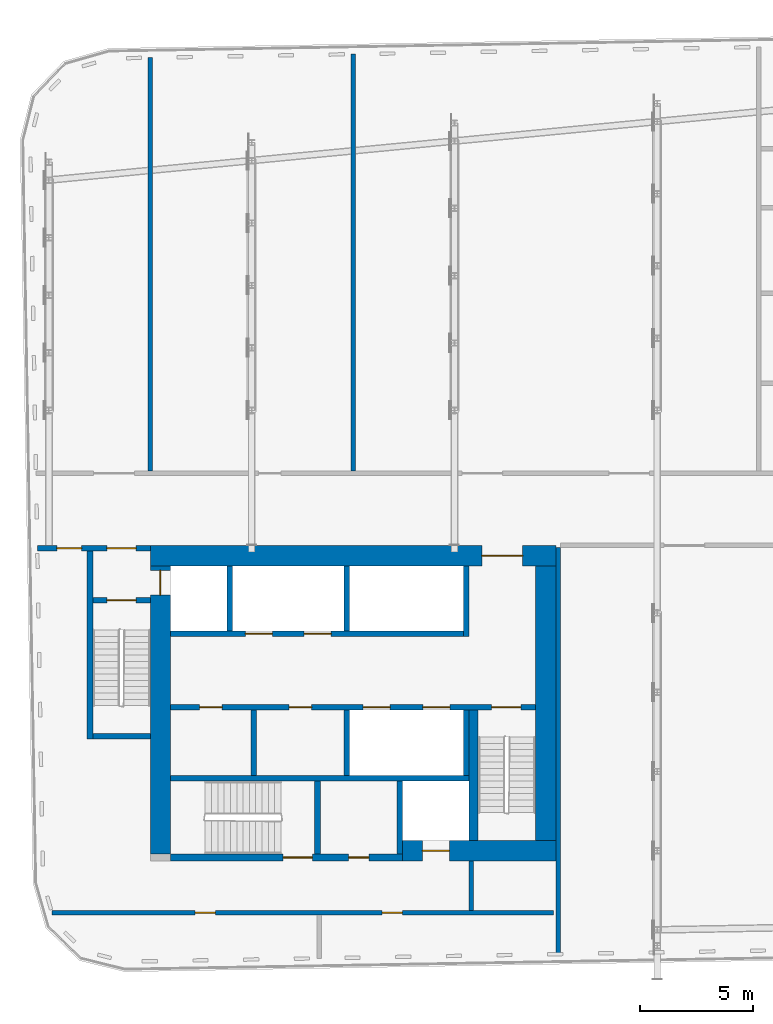
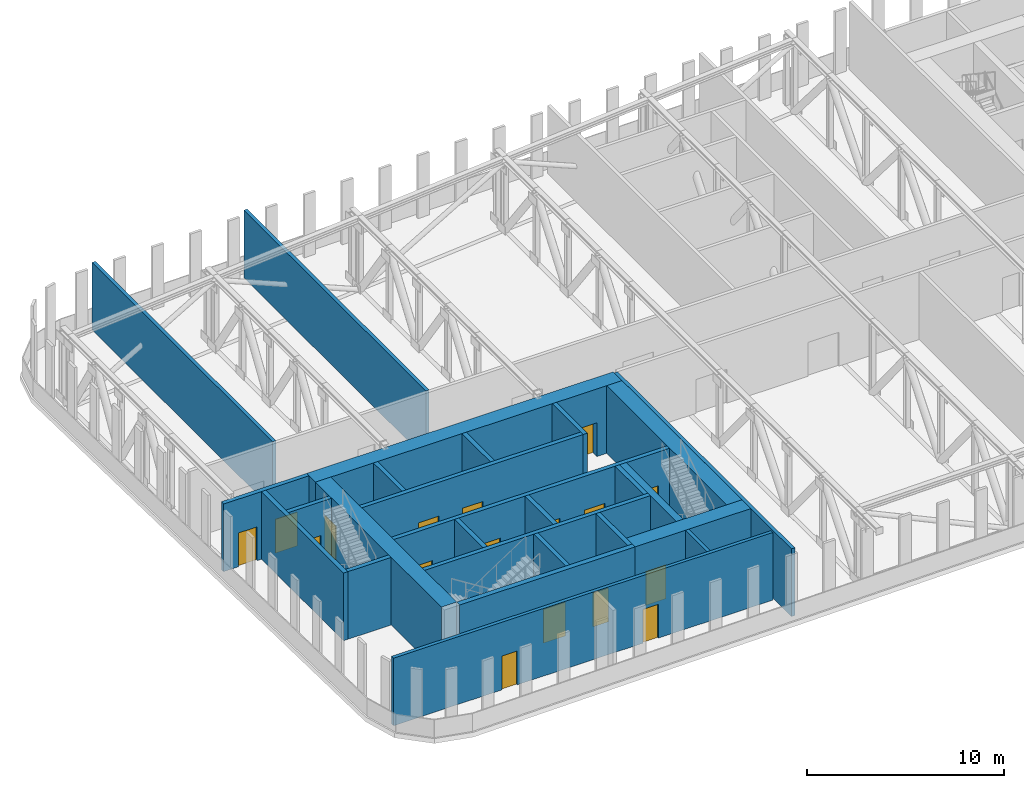
# One storey, part 10 of 26: 26 walls, 17 doors, 17 openings.
"""IFC4 building model written with IfcOpenShell, lengths in metres."""

from ifc_helpers import new_model, si_unit, direction, frame, frame_2d, origin, place, context, subcontext, project, spatial, rectangle, extrude, material, layer, layer_set, type_object, element, fill, save


model = new_model("IFC4")

# Units and contexts
model_context = context("Model", 3, precision=1e-05, world=origin(), true_north=direction((0.0, 1.0)))
body_context = subcontext(model_context, "Body", "Model", "MODEL_VIEW")
ifc_project = project(units=[si_unit("LENGTHUNIT", "METRE"), si_unit("AREAUNIT", "SQUARE_METRE"), si_unit("VOLUMEUNIT", "CUBIC_METRE"), si_unit("PLANEANGLEUNIT", "RADIAN"), si_unit("MASSUNIT", "GRAM", prefix="KILO")], contexts=[model_context])

# Site, building, storey
site_placement = place(None, origin())
site = spatial("IfcSite", under=ifc_project, at=site_placement, CompositionType="ELEMENT")
building_placement = place(site_placement, origin())
building = spatial("IfcBuilding", under=site, at=building_placement, Name="Kajstack Hotel Tower", CompositionType="ELEMENT")
storey_placement = place(building_placement, frame((0.0, 0.0, 257.300048828125)))
storey = spatial("IfcBuildingStorey", under=building, at=storey_placement, Name="L64", CompositionType="ELEMENT", Elevation=257.300048828125)

# Wall, opening, door
ifc_material_1 = material(Name="Concrete C60/75", Category="concrete")
ifc_layer_1 = layer(ifc_material_1, 0.89990234375)
ifc_layer_set_1 = layer_set([ifc_layer_1], Name="Core wall 900")
wall_type_1 = type_object("IfcWallType", Name="Core wall 900", PredefinedType="SHEAR", material=ifc_layer_set_1)
wall_1_placement = place(storey_placement, frame((-31.5, -1.949951171875, 0.0), z_axis=(0.0, 0.0, 1.0), x_axis=(1.0, 0.0, 0.0)))
wall_1 = element("IfcWall", 1, at=wall_1_placement, inside=storey, type_object=wall_type_1, Name="Core wall W RN", PredefinedType="SHEAR", context=body_context, shape_type="SweptSolid", body=[
    extrude(rectangle(XDim=18.0, YDim=0.89990234375, at=frame_2d((9.0, 0.0))), origin(), (0.0, 0.0, 1.0), 4.199951171875),
])
opening_1_placement = place(wall_1_placement, frame((14.72509765625, 0.0, 0.0)))
opening_1 = element("IfcOpeningElement", 2, at=opening_1_placement, cuts=wall_1, Name="Opening 64W07", PredefinedType="OPENING", context=body_context, shape_type="SweptSolid", body=[
    extrude(rectangle(XDim=1.800048828125, YDim=2.10009765625, at=frame_2d((0.89990234375, 1.050048828125))), frame((0.0, 0.4599609375, 0.0), z_axis=(0.0, -1.0, 0.0), x_axis=(1.0, 0.0, 0.0)), (0.0, 0.0, 1.0), 0.919921875),
])
ifc_material_2 = material(Name="Glazed steel frame, fire-rated glass", Category="steel")
door_type_1 = type_object("IfcDoorType", Name="Lobby double door 1800", OperationType="DOUBLE_DOOR_DOUBLE_SWING", PredefinedType="DOOR", material=ifc_material_2)
door_1_placement = place(opening_1_placement, origin())
door_1 = element("IfcDoor", 3, at=door_1_placement, inside=storey, type_object=door_type_1, Name="Door 64W07", OperationType="DOUBLE_DOOR_DOUBLE_SWING", OverallHeight=2.10009765625, OverallWidth=1.800048828125, PredefinedType="DOOR", context=body_context, shape_type="SweptSolid", body=[
    extrude(rectangle(XDim=1.800048828125, YDim=2.10009765625, at=frame_2d((0.89990234375, 1.050048828125))), frame((0.0, 0.02490234375, 0.0), z_axis=(0.0, -1.0, 0.0), x_axis=(1.0, 0.0, 0.0)), (0.0, 0.0, 1.0), 0.050048828125),
])
fill(opening_1, door_1)

wall_2_placement = place(storey_placement, frame((-20.300048828125, -15.050048828125, 0.0), z_axis=(0.0, 0.0, 1.0), x_axis=(1.0, 0.0, 0.0)))
wall_2 = element("IfcWall", 4, at=wall_2_placement, inside=storey, type_object=wall_type_1, Name="Core wall W RS", PredefinedType="SHEAR", context=body_context, shape_type="SweptSolid", body=[
    extrude(rectangle(XDim=6.800048828125, YDim=0.89990234375, at=frame_2d((3.39990234375, 0.0))), origin(), (0.0, 0.0, 1.0), 4.199951171875),
])
opening_2_placement = place(wall_2_placement, frame((0.875, 0.0, 0.0)))
opening_2 = element("IfcOpeningElement", 5, at=opening_2_placement, cuts=wall_2, Name="Opening LD-SV1", PredefinedType="OPENING", context=body_context, shape_type="SweptSolid", body=[
    extrude(rectangle(XDim=1.199951171875, YDim=2.10009765625, at=frame_2d((0.60009765625, 1.050048828125))), frame((0.0, 0.4599609375, 0.0), z_axis=(0.0, -1.0, 0.0), x_axis=(1.0, 0.0, 0.0)), (0.0, 0.0, 1.0), 0.919921875),
])
ifc_material_3 = material(Name="Stainless steel", Category="steel")
door_type_2 = type_object("IfcDoorType", Name="Lift landing door 1200", OperationType="SLIDING_TO_LEFT", PredefinedType="DOOR", material=ifc_material_3)
door_2_placement = place(opening_2_placement, origin())
door_2 = element("IfcDoor", 6, at=door_2_placement, inside=storey, type_object=door_type_2, Name="Landing door SV1", OperationType="SLIDING_TO_LEFT", OverallHeight=2.10009765625, OverallWidth=1.199951171875, PredefinedType="DOOR", context=body_context, shape_type="SweptSolid", body=[
    extrude(rectangle(XDim=1.199951171875, YDim=2.10009765625, at=frame_2d((0.60009765625, 1.050048828125))), frame((0.0, 0.02490234375, 0.0), z_axis=(0.0, -1.0, 0.0), x_axis=(1.0, 0.0, 0.0)), (0.0, 0.0, 1.0), 0.050048828125),
])
fill(opening_2, door_2)

wall_3_placement = place(storey_placement, frame((-31.050048828125, -15.199951171875, 0.0), z_axis=(0.0, 0.0, 1.0), x_axis=(0.0, 1.0, 0.0)))
wall_3 = element("IfcWall", 7, at=wall_3_placement, inside=storey, type_object=wall_type_1, Name="Core wall W RW", PredefinedType="SHEAR", context=body_context, shape_type="SweptSolid", body=[
    extrude(rectangle(XDim=12.800048828125, YDim=0.89990234375, at=frame_2d((6.39990234375, 0.0))), origin(), (0.0, 0.0, 1.0), 4.199951171875),
])
opening_3_placement = place(wall_3_placement, frame((11.5, 0.0, 0.0)))
opening_3 = element("IfcOpeningElement", 8, at=opening_3_placement, cuts=wall_3, Name="Opening LD-FF1", PredefinedType="OPENING", context=body_context, shape_type="SweptSolid", body=[
    extrude(rectangle(XDim=1.10009765625, YDim=2.10009765625, at=frame_2d((0.550048828125, 1.050048828125))), frame((0.0, 0.4599609375, 0.0), z_axis=(0.0, -1.0, 0.0), x_axis=(1.0, 0.0, 0.0)), (0.0, 0.0, 1.0), 0.919921875),
])
door_type_3 = type_object("IfcDoorType", Name="Fire-fighting lift landing door 1100", OperationType="SLIDING_TO_LEFT", PredefinedType="DOOR", material=ifc_material_3)
door_3_placement = place(opening_3_placement, origin())
door_3 = element("IfcDoor", 9, at=door_3_placement, inside=storey, type_object=door_type_3, Name="Landing door FF1", OperationType="SLIDING_TO_RIGHT", OverallHeight=2.10009765625, OverallWidth=1.10009765625, PredefinedType="DOOR", context=body_context, shape_type="SweptSolid", body=[
    extrude(rectangle(XDim=1.10009765625, YDim=2.10009765625, at=frame_2d((0.550048828125, 1.050048828125))), frame((0.0, 0.02490234375, 0.0), z_axis=(0.0, -1.0, 0.0), x_axis=(1.0, 0.0, 0.0)), (0.0, 0.0, 1.0), 0.050048828125),
])
fill(opening_3, door_3)

# Walls
wall_4_placement = place(storey_placement, frame((-13.949951171875, -14.60009765625, 0.0), z_axis=(0.0, 0.0, 1.0), x_axis=(0.0, 1.0, 0.0)))
element("IfcWall", 10, at=wall_4_placement, inside=storey, type_object=wall_type_1, Name="Core wall W RE", PredefinedType="SHEAR", context=body_context, shape_type="SweptSolid", body=[
    extrude(rectangle(XDim=12.2001953125, YDim=0.89990234375, at=frame_2d((6.10009765625, 0.0))), origin(), (0.0, 0.0, 1.0), 4.199951171875),
])
ifc_material_4 = material(Name="Concrete C50/60", Category="concrete")
ifc_layer_2 = layer(ifc_material_4, 0.300048828125)
ifc_layer_set_2 = layer_set([ifc_layer_2], Name="Hoistway divider wall 300")
wall_type_2 = type_object("IfcWallType", Name="Hoistway divider wall 300", PredefinedType="SHEAR", material=ifc_layer_set_2)
wall_5_placement = place(storey_placement, frame((-22.77490234375, -5.300048828125, 0.0), z_axis=(0.0, 0.0, 1.0), x_axis=(0.0, 1.0, 0.0)))
element("IfcWall", 11, at=wall_5_placement, inside=storey, type_object=wall_type_2, Name="Core wall W AP2", PredefinedType="SHEAR", context=body_context, shape_type="SweptSolid", body=[
    extrude(rectangle(XDim=2.900146484375, YDim=0.25, at=frame_2d((1.4501953125, 0.0))), origin(), (0.0, 0.0, 1.0), 4.199951171875),
])
wall_6_placement = place(storey_placement, frame((-22.77490234375, -11.699951171875, 0.0), z_axis=(0.0, 0.0, 1.0), x_axis=(0.0, 1.0, 0.0)))
element("IfcWall", 12, at=wall_6_placement, inside=storey, type_object=wall_type_2, Name="Core wall W BP2", PredefinedType="SHEAR", context=body_context, shape_type="SweptSolid", body=[
    extrude(rectangle(XDim=2.89990234375, YDim=0.25, at=frame_2d((1.449951171875, 0.0))), origin(), (0.0, 0.0, 1.0), 4.199951171875),
])
ifc_material_5 = material(Name="Gypsum board on steel studs, mineral wool", Category="steel")
ifc_layer_3 = layer(ifc_material_5, 0.199951171875)
ifc_layer_set_3 = layer_set([ifc_layer_3], Name="Public partition 200")
wall_type_3 = type_object("IfcWallType", Name="Public partition 200", PredefinedType="PARTITIONING", material=ifc_layer_set_3)
wall_7_placement = place(storey_placement, frame((-22.5, 1.800048828125, 0.0), z_axis=(0.0, 0.0, 1.0), x_axis=(0.0, 1.0, 0.0)))
element("IfcWall", 13, at=wall_7_placement, inside=storey, type_object=wall_type_3, Name="Partition PX2", PredefinedType="PARTITIONING", context=body_context, shape_type="SweptSolid", body=[
    extrude(rectangle(XDim=18.5078125, YDim=0.199951171875, at=frame_2d((9.25390625, 0.0))), origin(), (0.0, 0.0, 1.0), 4.199951171875),
])
wall_8_placement = place(storey_placement, frame((-31.5, 1.800048828125, 0.0), z_axis=(0.0, 0.0, 1.0), x_axis=(0.0, 1.0, 0.0)))
element("IfcWall", 14, at=wall_8_placement, inside=storey, type_object=wall_type_3, Name="Partition PX3", PredefinedType="PARTITIONING", context=body_context, shape_type="SweptSolid", body=[
    extrude(rectangle(XDim=18.350830078125, YDim=0.199951171875, at=frame_2d((9.17529296875, 0.0))), origin(), (0.0, 0.0, 1.0), 4.199951171875),
])
wall_9_placement = place(storey_placement, frame((-13.39990234375, -19.6357421875, 0.0), z_axis=(0.0, 0.0, 1.0), x_axis=(0.0, 1.0, 0.0)))
element("IfcWall", 15, at=wall_9_placement, inside=storey, type_object=wall_type_3, Name="Partition SEW", PredefinedType="PARTITIONING", context=body_context, shape_type="SweptSolid", body=[
    extrude(rectangle(XDim=18.03564453125, YDim=0.199951171875, at=frame_2d((9.017822265625, 0.0))), origin(), (0.0, 0.0, 1.0), 4.199951171875),
])
ifc_material_6 = material(Name="Concrete block masonry", Category="masonry")
ifc_layer_4 = layer(ifc_material_6, 0.25)
ifc_layer_set_4 = layer_set([ifc_layer_4], Name="Riser partition 250")
wall_type_4 = type_object("IfcWallType", Name="Riser partition 250", PredefinedType="PARTITIONING", material=ifc_layer_set_4)
wall_10_placement = place(storey_placement, frame((-26.89990234375, -11.699951171875, 0.0), z_axis=(0.0, 0.0, 1.0), x_axis=(0.0, 1.0, 0.0)))
element("IfcWall", 16, at=wall_10_placement, inside=storey, type_object=wall_type_4, Name="Partition W BF0", PredefinedType="PARTITIONING", context=body_context, shape_type="SweptSolid", body=[
    extrude(rectangle(XDim=2.89990234375, YDim=0.25, at=frame_2d((1.449951171875, 0.0))), origin(), (0.0, 0.0, 1.0), 4.199951171875),
])

# Wall, openings, doors
ifc_layer_5 = layer(ifc_material_5, 0.199951171875)
ifc_layer_set_5 = layer_set([ifc_layer_5], Name="Service partition 200")
wall_type_5 = type_object("IfcWallType", Name="Service partition 200", PredefinedType="PARTITIONING", material=ifc_layer_set_5)
wall_11_placement = place(storey_placement, frame((-36.515380859375, -1.625, 0.0), z_axis=(0.0, 0.0, 1.0), x_axis=(1.0, 0.0, 0.0)))
wall_11 = element("IfcWall", 17, at=wall_11_placement, inside=storey, type_object=wall_type_5, Name="Partition W SN", PredefinedType="PARTITIONING", context=body_context, shape_type="SweptSolid", body=[
    extrude(rectangle(XDim=5.015380859375, YDim=0.25, at=frame_2d((2.5078125, 0.0))), origin(), (0.0, 0.0, 1.0), 4.199951171875),
])
opening_4_placement = place(wall_11_placement, frame((3.09033203125, 0.0, 0.0)))
opening_4 = element("IfcOpeningElement", 18, at=opening_4_placement, cuts=wall_11, Name="Opening 64W08", PredefinedType="OPENING", context=body_context, shape_type="SweptSolid", body=[
    extrude(rectangle(XDim=1.300048828125, YDim=2.10009765625, at=frame_2d((0.64990234375, 1.050048828125))), frame((0.0, 0.135009765625, 0.0), z_axis=(0.0, -1.0, 0.0), x_axis=(1.0, 0.0, 0.0)), (0.0, 0.0, 1.0), 0.27001953125),
])
opening_5_placement = place(wall_11_placement, frame((0.865478515625, 0.0, 0.0)))
opening_5 = element("IfcOpeningElement", 19, at=opening_5_placement, cuts=wall_11, Name="Opening 64W10", PredefinedType="OPENING", context=body_context, shape_type="SweptSolid", body=[
    extrude(rectangle(XDim=1.10009765625, YDim=2.10009765625, at=frame_2d((0.550048828125, 1.050048828125))), frame((0.0, 0.135009765625, 0.0), z_axis=(0.0, -1.0, 0.0), x_axis=(1.0, 0.0, 0.0)), (0.0, 0.0, 1.0), 0.27001953125),
])
ifc_material_7 = material(Name="Steel leaf, fire-rated", Category="steel")
door_type_4 = type_object("IfcDoorType", Name="Fire lobby door 1300", OperationType="SINGLE_SWING_LEFT", PredefinedType="DOOR", material=ifc_material_7)
door_4_placement = place(opening_4_placement, origin())
door_4 = element("IfcDoor", 20, at=door_4_placement, inside=storey, type_object=door_type_4, Name="Door 64W08", OperationType="SINGLE_SWING_RIGHT", OverallHeight=2.10009765625, OverallWidth=1.300048828125, PredefinedType="DOOR", context=body_context, shape_type="SweptSolid", body=[
    extrude(rectangle(XDim=1.300048828125, YDim=2.10009765625, at=frame_2d((0.64990234375, 1.050048828125))), frame((0.0, 0.02490234375, 0.0), z_axis=(0.0, -1.0, 0.0), x_axis=(1.0, 0.0, 0.0)), (0.0, 0.0, 1.0), 0.050048828125),
])
fill(opening_4, door_4)
ifc_material_8 = material(Name="Timber leaf, fire-rated", Category="wood")
door_type_5 = type_object("IfcDoorType", Name="Service corridor door 1100", OperationType="SINGLE_SWING_LEFT", PredefinedType="DOOR", material=ifc_material_8)
door_5_placement = place(opening_5_placement, origin())
door_5 = element("IfcDoor", 21, at=door_5_placement, inside=storey, type_object=door_type_5, Name="Door 64W10", OperationType="SINGLE_SWING_RIGHT", OverallHeight=2.10009765625, OverallWidth=1.10009765625, PredefinedType="DOOR", context=body_context, shape_type="SweptSolid", body=[
    extrude(rectangle(XDim=1.10009765625, YDim=2.10009765625, at=frame_2d((0.550048828125, 1.050048828125))), frame((0.0, 0.02490234375, 0.0), z_axis=(0.0, -1.0, 0.0), x_axis=(1.0, 0.0, 0.0)), (0.0, 0.0, 1.0), 0.050048828125),
])
fill(opening_5, door_5)

# Wall
wall_12_placement = place(storey_placement, frame((-17.25, -17.699951171875, 0.0), z_axis=(0.0, 0.0, 1.0), x_axis=(0.0, 1.0, 0.0)))
element("IfcWall", 22, at=wall_12_placement, inside=storey, type_object=wall_type_5, Name="Partition W SCE", PredefinedType="PARTITIONING", context=body_context, shape_type="SweptSolid", body=[
    extrude(rectangle(XDim=2.199951171875, YDim=0.199951171875, at=frame_2d((1.10009765625, 0.0))), origin(), (0.0, 0.0, 1.0), 4.199951171875),
])

# Wall, openings, doors
wall_13_placement = place(storey_placement, frame((-35.86376953125, -17.800048828125, 0.0), z_axis=(0.0, 0.0, 1.0), x_axis=(1.0, 0.0, 0.0)))
wall_13 = element("IfcWall", 23, at=wall_13_placement, inside=storey, type_object=wall_type_5, Name="Partition W SLN", PredefinedType="PARTITIONING", context=body_context, shape_type="SweptSolid", body=[
    extrude(rectangle(XDim=22.263671875, YDim=0.199951171875, at=frame_2d((11.1318359375, 0.0))), origin(), (0.0, 0.0, 1.0), 4.199951171875),
])
opening_6_placement = place(wall_13_placement, frame((6.351318359375, 0.0, 0.0)))
opening_6 = element("IfcOpeningElement", 24, at=opening_6_placement, cuts=wall_13, Name="Opening 64W16", PredefinedType="OPENING", context=body_context, shape_type="SweptSolid", body=[
    extrude(rectangle(XDim=0.89990234375, YDim=2.10009765625, at=frame_2d((0.449951171875, 1.050048828125))), frame((0.0, 0.10986328125, 0.0), z_axis=(0.0, -1.0, 0.0), x_axis=(1.0, 0.0, 0.0)), (0.0, 0.0, 1.0), 0.219970703125),
])
opening_7_placement = place(wall_13_placement, frame((14.651123046875, 0.0, 0.0)))
opening_7 = element("IfcOpeningElement", 25, at=opening_7_placement, cuts=wall_13, Name="Opening 64W17", PredefinedType="OPENING", context=body_context, shape_type="SweptSolid", body=[
    extrude(rectangle(XDim=0.89990234375, YDim=2.10009765625, at=frame_2d((0.449951171875, 1.050048828125))), frame((0.0, 0.10986328125, 0.0), z_axis=(0.0, -1.0, 0.0), x_axis=(1.0, 0.0, 0.0)), (0.0, 0.0, 1.0), 0.219970703125),
])
door_type_6 = type_object("IfcDoorType", Name="Service door 900", OperationType="SINGLE_SWING_LEFT", PredefinedType="DOOR", material=ifc_material_8)
door_6_placement = place(opening_6_placement, origin())
door_6 = element("IfcDoor", 26, at=door_6_placement, inside=storey, type_object=door_type_6, Name="Door 64W16", OperationType="SINGLE_SWING_RIGHT", OverallHeight=2.10009765625, OverallWidth=0.89990234375, PredefinedType="DOOR", context=body_context, shape_type="SweptSolid", body=[
    extrude(rectangle(XDim=0.89990234375, YDim=2.10009765625, at=frame_2d((0.449951171875, 1.050048828125))), frame((0.0, 0.02490234375, 0.0), z_axis=(0.0, -1.0, 0.0), x_axis=(1.0, 0.0, 0.0)), (0.0, 0.0, 1.0), 0.050048828125),
])
fill(opening_6, door_6)
door_7_placement = place(opening_7_placement, origin())
door_7 = element("IfcDoor", 27, at=door_7_placement, inside=storey, type_object=door_type_6, Name="Door 64W17", OperationType="SINGLE_SWING_RIGHT", OverallHeight=2.10009765625, OverallWidth=0.89990234375, PredefinedType="DOOR", context=body_context, shape_type="SweptSolid", body=[
    extrude(rectangle(XDim=0.89990234375, YDim=2.10009765625, at=frame_2d((0.449951171875, 1.050048828125))), frame((0.0, 0.02490234375, 0.0), z_axis=(0.0, -1.0, 0.0), x_axis=(1.0, 0.0, 0.0)), (0.0, 0.0, 1.0), 0.050048828125),
])
fill(opening_7, door_7)

ifc_layer_6 = layer(ifc_material_4, 0.25)
ifc_layer_set_6 = layer_set([ifc_layer_6], Name="Shaft wall 250")
wall_type_6 = type_object("IfcWallType", Name="Shaft wall 250", PredefinedType="SHEAR", material=ifc_layer_set_6)
wall_14_placement = place(storey_placement, frame((-30.60009765625, -15.35009765625, 0.0), z_axis=(0.0, 0.0, 1.0), x_axis=(1.0, 0.0, 0.0)))
wall_14 = element("IfcWall", 28, at=wall_14_placement, inside=storey, type_object=wall_type_6, Name="Core wall W RSS", PredefinedType="SHEAR", context=body_context, shape_type="SweptSolid", body=[
    extrude(rectangle(XDim=10.300048828125, YDim=0.300048828125, at=frame_2d((5.14990234375, 0.0))), origin(), (0.0, 0.0, 1.0), 4.199951171875),
])
opening_8_placement = place(wall_14_placement, frame((5.0, 0.0, 0.0)))
opening_8 = element("IfcOpeningElement", 29, at=opening_8_placement, cuts=wall_14, Name="Opening 64W12", PredefinedType="OPENING", context=body_context, shape_type="SweptSolid", body=[
    extrude(rectangle(XDim=1.300048828125, YDim=2.10009765625, at=frame_2d((0.64990234375, 1.050048828125))), frame((0.0, 0.159912109375, 0.0), z_axis=(0.0, -1.0, 0.0), x_axis=(1.0, 0.0, 0.0)), (0.0, 0.0, 1.0), 0.320068359375),
])
opening_9_placement = place(wall_14_placement, frame((7.89990234375, 0.0, 0.0)))
opening_9 = element("IfcOpeningElement", 30, at=opening_9_placement, cuts=wall_14, Name="Opening 64W13", PredefinedType="OPENING", context=body_context, shape_type="SweptSolid", body=[
    extrude(rectangle(XDim=0.89990234375, YDim=2.10009765625, at=frame_2d((0.449951171875, 1.050048828125))), frame((0.0, 0.159912109375, 0.0), z_axis=(0.0, -1.0, 0.0), x_axis=(1.0, 0.0, 0.0)), (0.0, 0.0, 1.0), 0.320068359375),
])
door_8_placement = place(opening_9_placement, origin())
door_8 = element("IfcDoor", 31, at=door_8_placement, inside=storey, type_object=door_type_6, Name="Door 64W13", OperationType="SINGLE_SWING_LEFT", OverallHeight=2.10009765625, OverallWidth=0.89990234375, PredefinedType="DOOR", context=body_context, shape_type="SweptSolid", body=[
    extrude(rectangle(XDim=0.89990234375, YDim=2.10009765625, at=frame_2d((0.449951171875, 1.050048828125))), frame((0.0, 0.02490234375, 0.0), z_axis=(0.0, -1.0, 0.0), x_axis=(1.0, 0.0, 0.0)), (0.0, 0.0, 1.0), 0.050048828125),
])
fill(opening_9, door_8)
door_type_7 = type_object("IfcDoorType", Name="Stair door 1300", OperationType="SINGLE_SWING_LEFT", PredefinedType="DOOR", material=ifc_material_7)
door_9_placement = place(opening_8_placement, origin())
door_9 = element("IfcDoor", 32, at=door_9_placement, inside=storey, type_object=door_type_7, Name="Door 64W12", OperationType="SINGLE_SWING_RIGHT", OverallHeight=2.10009765625, OverallWidth=1.300048828125, PredefinedType="DOOR", context=body_context, shape_type="SweptSolid", body=[
    extrude(rectangle(XDim=1.300048828125, YDim=2.10009765625, at=frame_2d((0.64990234375, 1.050048828125))), frame((0.0, 0.02490234375, 0.0), z_axis=(0.0, -1.0, 0.0), x_axis=(1.0, 0.0, 0.0)), (0.0, 0.0, 1.0), 0.050048828125),
])
fill(opening_8, door_9)

wall_15_placement = place(storey_placement, frame((-30.60009765625, -5.425048828125, 0.0), z_axis=(0.0, 0.0, 1.0), x_axis=(1.0, 0.0, 0.0)))
wall_15 = element("IfcWall", 33, at=wall_15_placement, inside=storey, type_object=wall_type_6, Name="Core wall W FA", PredefinedType="SHEAR", context=body_context, shape_type="SweptSolid", body=[
    extrude(rectangle(XDim=13.0, YDim=0.25, at=frame_2d((6.5, 0.0))), origin(), (0.0, 0.0, 1.0), 4.199951171875),
])
opening_10_placement = place(wall_15_placement, frame((3.324951171875, 0.0, 0.0)))
opening_10 = element("IfcOpeningElement", 34, at=opening_10_placement, cuts=wall_15, Name="Opening LD-MR3", PredefinedType="OPENING", context=body_context, shape_type="SweptSolid", body=[
    extrude(rectangle(XDim=1.199951171875, YDim=2.10009765625, at=frame_2d((0.60009765625, 1.050048828125))), frame((0.0, 0.135009765625, 0.0), z_axis=(0.0, -1.0, 0.0), x_axis=(1.0, 0.0, 0.0)), (0.0, 0.0, 1.0), 0.27001953125),
])
opening_11_placement = place(wall_15_placement, frame((5.925048828125, 0.0, 0.0)))
opening_11 = element("IfcOpeningElement", 35, at=opening_11_placement, cuts=wall_15, Name="Opening LD-MR4", PredefinedType="OPENING", context=body_context, shape_type="SweptSolid", body=[
    extrude(rectangle(XDim=1.199951171875, YDim=2.10009765625, at=frame_2d((0.60009765625, 1.050048828125))), frame((0.0, 0.135009765625, 0.0), z_axis=(0.0, -1.0, 0.0), x_axis=(1.0, 0.0, 0.0)), (0.0, 0.0, 1.0), 0.27001953125),
])
door_10_placement = place(opening_10_placement, origin())
door_10 = element("IfcDoor", 36, at=door_10_placement, inside=storey, type_object=door_type_2, Name="Landing door MR3", OperationType="SLIDING_TO_RIGHT", OverallHeight=2.10009765625, OverallWidth=1.199951171875, PredefinedType="DOOR", context=body_context, shape_type="SweptSolid", body=[
    extrude(rectangle(XDim=1.199951171875, YDim=2.10009765625, at=frame_2d((0.60009765625, 1.050048828125))), frame((0.0, 0.02490234375, 0.0), z_axis=(0.0, -1.0, 0.0), x_axis=(1.0, 0.0, 0.0)), (0.0, 0.0, 1.0), 0.050048828125),
])
fill(opening_10, door_10)
door_11_placement = place(opening_11_placement, origin())
door_11 = element("IfcDoor", 37, at=door_11_placement, inside=storey, type_object=door_type_2, Name="Landing door MR4", OperationType="SLIDING_TO_RIGHT", OverallHeight=2.10009765625, OverallWidth=1.199951171875, PredefinedType="DOOR", context=body_context, shape_type="SweptSolid", body=[
    extrude(rectangle(XDim=1.199951171875, YDim=2.10009765625, at=frame_2d((0.60009765625, 1.050048828125))), frame((0.0, 0.02490234375, 0.0), z_axis=(0.0, -1.0, 0.0), x_axis=(1.0, 0.0, 0.0)), (0.0, 0.0, 1.0), 0.050048828125),
])
fill(opening_11, door_11)

# Walls
wall_16_placement = place(storey_placement, frame((-17.47509765625, -5.550048828125, 0.0), z_axis=(0.0, 0.0, 1.0), x_axis=(0.0, 1.0, 0.0)))
element("IfcWall", 38, at=wall_16_placement, inside=storey, type_object=wall_type_6, Name="Core wall W AE", PredefinedType="SHEAR", context=body_context, shape_type="SweptSolid", body=[
    extrude(rectangle(XDim=3.150146484375, YDim=0.25, at=frame_2d((1.5751953125, 0.0))), origin(), (0.0, 0.0, 1.0), 4.199951171875),
])
wall_17_placement = place(storey_placement, frame((-27.97509765625, -5.300048828125, 0.0), z_axis=(0.0, 0.0, 1.0), x_axis=(0.0, 1.0, 0.0)))
element("IfcWall", 39, at=wall_17_placement, inside=storey, type_object=wall_type_6, Name="Core wall W AP0", PredefinedType="SHEAR", context=body_context, shape_type="SweptSolid", body=[
    extrude(rectangle(XDim=2.900146484375, YDim=0.25, at=frame_2d((1.4501953125, 0.0))), origin(), (0.0, 0.0, 1.0), 4.199951171875),
])

# Wall, openings, doors
wall_18_placement = place(storey_placement, frame((-30.60009765625, -8.675048828125, 0.0), z_axis=(0.0, 0.0, 1.0), x_axis=(1.0, 0.0, 0.0)))
wall_18 = element("IfcWall", 40, at=wall_18_placement, inside=storey, type_object=wall_type_6, Name="Core wall W FB", PredefinedType="SHEAR", context=body_context, shape_type="SweptSolid", body=[
    extrude(rectangle(XDim=16.2001953125, YDim=0.25, at=frame_2d((8.10009765625, 0.0))), origin(), (0.0, 0.0, 1.0), 4.199951171875),
])
opening_12_placement = place(wall_18_placement, frame((8.550048828125, 0.0, 0.0)))
opening_12 = element("IfcOpeningElement", 41, at=opening_12_placement, cuts=wall_18, Name="Opening LD-MR1", PredefinedType="OPENING", context=body_context, shape_type="SweptSolid", body=[
    extrude(rectangle(XDim=1.199951171875, YDim=2.10009765625, at=frame_2d((0.60009765625, 1.050048828125))), frame((0.0, 0.135009765625, 0.0), z_axis=(0.0, -1.0, 0.0), x_axis=(1.0, 0.0, 0.0)), (0.0, 0.0, 1.0), 0.27001953125),
])
opening_13_placement = place(wall_18_placement, frame((11.199951171875, 0.0, 0.0)))
opening_13 = element("IfcOpeningElement", 42, at=opening_13_placement, cuts=wall_18, Name="Opening LD-MR2", PredefinedType="OPENING", context=body_context, shape_type="SweptSolid", body=[
    extrude(rectangle(XDim=1.199951171875, YDim=2.10009765625, at=frame_2d((0.60009765625, 1.050048828125))), frame((0.0, 0.135009765625, 0.0), z_axis=(0.0, -1.0, 0.0), x_axis=(1.0, 0.0, 0.0)), (0.0, 0.0, 1.0), 0.27001953125),
])
opening_14_placement = place(wall_18_placement, frame((14.25, 0.0, 0.0)))
opening_14 = element("IfcOpeningElement", 43, at=opening_14_placement, cuts=wall_18, Name="Opening 64W11", PredefinedType="OPENING", context=body_context, shape_type="SweptSolid", body=[
    extrude(rectangle(XDim=1.300048828125, YDim=2.10009765625, at=frame_2d((0.64990234375, 1.050048828125))), frame((0.0, 0.135009765625, 0.0), z_axis=(0.0, -1.0, 0.0), x_axis=(1.0, 0.0, 0.0)), (0.0, 0.0, 1.0), 0.27001953125),
])
opening_15_placement = place(wall_18_placement, frame((1.28759765625, 0.0, 0.0)))
opening_15 = element("IfcOpeningElement", 44, at=opening_15_placement, cuts=wall_18, Name="Opening 64W14", PredefinedType="OPENING", context=body_context, shape_type="SweptSolid", body=[
    extrude(rectangle(XDim=1.0, YDim=2.10009765625, at=frame_2d((0.5, 1.050048828125))), frame((0.0, 0.135009765625, 0.0), z_axis=(0.0, -1.0, 0.0), x_axis=(1.0, 0.0, 0.0)), (0.0, 0.0, 1.0), 0.27001953125),
])
opening_16_placement = place(wall_18_placement, frame((5.262451171875, 0.0, 0.0)))
opening_16 = element("IfcOpeningElement", 45, at=opening_16_placement, cuts=wall_18, Name="Opening 64W15", PredefinedType="OPENING", context=body_context, shape_type="SweptSolid", body=[
    extrude(rectangle(XDim=1.0, YDim=2.10009765625, at=frame_2d((0.5, 1.050048828125))), frame((0.0, 0.135009765625, 0.0), z_axis=(0.0, -1.0, 0.0), x_axis=(1.0, 0.0, 0.0)), (0.0, 0.0, 1.0), 0.27001953125),
])
door_12_placement = place(opening_12_placement, origin())
door_12 = element("IfcDoor", 46, at=door_12_placement, inside=storey, type_object=door_type_2, Name="Landing door MR1", OperationType="SLIDING_TO_LEFT", OverallHeight=2.10009765625, OverallWidth=1.199951171875, PredefinedType="DOOR", context=body_context, shape_type="SweptSolid", body=[
    extrude(rectangle(XDim=1.199951171875, YDim=2.10009765625, at=frame_2d((0.60009765625, 1.050048828125))), frame((0.0, 0.02490234375, 0.0), z_axis=(0.0, -1.0, 0.0), x_axis=(1.0, 0.0, 0.0)), (0.0, 0.0, 1.0), 0.050048828125),
])
fill(opening_12, door_12)
door_13_placement = place(opening_13_placement, origin())
door_13 = element("IfcDoor", 47, at=door_13_placement, inside=storey, type_object=door_type_2, Name="Landing door MR2", OperationType="SLIDING_TO_RIGHT", OverallHeight=2.10009765625, OverallWidth=1.199951171875, PredefinedType="DOOR", context=body_context, shape_type="SweptSolid", body=[
    extrude(rectangle(XDim=1.199951171875, YDim=2.10009765625, at=frame_2d((0.60009765625, 1.050048828125))), frame((0.0, 0.02490234375, 0.0), z_axis=(0.0, -1.0, 0.0), x_axis=(1.0, 0.0, 0.0)), (0.0, 0.0, 1.0), 0.050048828125),
])
fill(opening_13, door_13)
door_type_8 = type_object("IfcDoorType", Name="Service room door 1000", OperationType="SINGLE_SWING_LEFT", PredefinedType="DOOR", material=ifc_material_8)
door_14_placement = place(opening_15_placement, origin())
door_14 = element("IfcDoor", 48, at=door_14_placement, inside=storey, type_object=door_type_8, Name="Door 64W14", OperationType="SINGLE_SWING_RIGHT", OverallHeight=2.10009765625, OverallWidth=1.0, PredefinedType="DOOR", context=body_context, shape_type="SweptSolid", body=[
    extrude(rectangle(XDim=1.0, YDim=2.10009765625, at=frame_2d((0.5, 1.050048828125))), frame((0.0, 0.02490234375, 0.0), z_axis=(0.0, -1.0, 0.0), x_axis=(1.0, 0.0, 0.0)), (0.0, 0.0, 1.0), 0.050048828125),
])
fill(opening_15, door_14)
door_15_placement = place(opening_16_placement, origin())
door_15 = element("IfcDoor", 49, at=door_15_placement, inside=storey, type_object=door_type_8, Name="Door 64W15", OperationType="SINGLE_SWING_RIGHT", OverallHeight=2.10009765625, OverallWidth=1.0, PredefinedType="DOOR", context=body_context, shape_type="SweptSolid", body=[
    extrude(rectangle(XDim=1.0, YDim=2.10009765625, at=frame_2d((0.5, 1.050048828125))), frame((0.0, 0.02490234375, 0.0), z_axis=(0.0, -1.0, 0.0), x_axis=(1.0, 0.0, 0.0)), (0.0, 0.0, 1.0), 0.050048828125),
])
fill(opening_16, door_15)
door_16_placement = place(opening_14_placement, origin())
door_16 = element("IfcDoor", 50, at=door_16_placement, inside=storey, type_object=door_type_7, Name="Door 64W11", OperationType="SINGLE_SWING_RIGHT", OverallHeight=2.10009765625, OverallWidth=1.300048828125, PredefinedType="DOOR", context=body_context, shape_type="SweptSolid", body=[
    extrude(rectangle(XDim=1.300048828125, YDim=2.10009765625, at=frame_2d((0.64990234375, 1.050048828125))), frame((0.0, 0.02490234375, 0.0), z_axis=(0.0, -1.0, 0.0), x_axis=(1.0, 0.0, 0.0)), (0.0, 0.0, 1.0), 0.050048828125),
])
fill(opening_14, door_16)

# Walls
wall_19_placement = place(storey_placement, frame((-30.60009765625, -11.824951171875, 0.0), z_axis=(0.0, 0.0, 1.0), x_axis=(1.0, 0.0, 0.0)))
element("IfcWall", 51, at=wall_19_placement, inside=storey, type_object=wall_type_6, Name="Core wall W RB", PredefinedType="SHEAR", context=body_context, shape_type="SweptSolid", body=[
    extrude(rectangle(XDim=13.25, YDim=0.25, at=frame_2d((6.625, 0.0))), origin(), (0.0, 0.0, 1.0), 4.199951171875),
])
wall_20_placement = place(storey_placement, frame((-17.47509765625, -11.699951171875, 0.0), z_axis=(0.0, 0.0, 1.0), x_axis=(0.0, 1.0, 0.0)))
element("IfcWall", 52, at=wall_20_placement, inside=storey, type_object=wall_type_6, Name="Core wall W BE", PredefinedType="SHEAR", context=body_context, shape_type="SweptSolid", body=[
    extrude(rectangle(XDim=2.89990234375, YDim=0.25, at=frame_2d((1.449951171875, 0.0))), origin(), (0.0, 0.0, 1.0), 4.199951171875),
])
wall_21_placement = place(storey_placement, frame((-20.425048828125, -15.199951171875, 0.0), z_axis=(0.0, 0.0, 1.0), x_axis=(0.0, 1.0, 0.0)))
element("IfcWall", 53, at=wall_21_placement, inside=storey, type_object=wall_type_6, Name="Core wall W SVW", PredefinedType="SHEAR", context=body_context, shape_type="SweptSolid", body=[
    extrude(rectangle(XDim=3.25, YDim=0.25, at=frame_2d((1.625, 0.0))), origin(), (0.0, 0.0, 1.0), 4.199951171875),
])

# Wall, opening, door
ifc_material_9 = material(Name="Concrete C40/50", Category="concrete")
ifc_layer_7 = layer(ifc_material_9, 0.25)
ifc_layer_set_7 = layer_set([ifc_layer_7], Name="Stair enclosure wall 250")
wall_type_7 = type_object("IfcWallType", Name="Stair enclosure wall 250", PredefinedType="SHEAR", material=ifc_layer_set_7)
wall_22_placement = place(storey_placement, frame((-34.050048828125, -3.925048828125, 0.0), z_axis=(0.0, 0.0, 1.0), x_axis=(1.0, 0.0, 0.0)))
wall_22 = element("IfcWall", 54, at=wall_22_placement, inside=storey, type_object=wall_type_7, Name="Core wall W W1N", PredefinedType="SHEAR", context=body_context, shape_type="SweptSolid", body=[
    extrude(rectangle(XDim=2.550048828125, YDim=0.25, at=frame_2d((1.27490234375, 0.0))), origin(), (0.0, 0.0, 1.0), 4.199951171875),
])
opening_17_placement = place(wall_22_placement, frame((0.625, 0.0, 0.0)))
opening_17 = element("IfcOpeningElement", 55, at=opening_17_placement, cuts=wall_22, Name="Opening 64W09", PredefinedType="OPENING", context=body_context, shape_type="SweptSolid", body=[
    extrude(rectangle(XDim=1.300048828125, YDim=2.10009765625, at=frame_2d((0.64990234375, 1.050048828125))), frame((0.0, 0.135009765625, 0.0), z_axis=(0.0, -1.0, 0.0), x_axis=(1.0, 0.0, 0.0)), (0.0, 0.0, 1.0), 0.27001953125),
])
door_17_placement = place(opening_17_placement, origin())
door_17 = element("IfcDoor", 56, at=door_17_placement, inside=storey, type_object=door_type_7, Name="Door 64W09", OperationType="SINGLE_SWING_RIGHT", OverallHeight=2.10009765625, OverallWidth=1.300048828125, PredefinedType="DOOR", context=body_context, shape_type="SweptSolid", body=[
    extrude(rectangle(XDim=1.300048828125, YDim=2.10009765625, at=frame_2d((0.64990234375, 1.050048828125))), frame((0.0, 0.02490234375, 0.0), z_axis=(0.0, -1.0, 0.0), x_axis=(1.0, 0.0, 0.0)), (0.0, 0.0, 1.0), 0.050048828125),
])
fill(opening_17, door_17)

# Walls
wall_23_placement = place(storey_placement, frame((-34.175048828125, -10.10009765625, 0.0), z_axis=(0.0, 0.0, 1.0), x_axis=(0.0, 1.0, 0.0)))
element("IfcWall", 57, at=wall_23_placement, inside=storey, type_object=wall_type_7, Name="Core wall W W1W", PredefinedType="SHEAR", context=body_context, shape_type="SweptSolid", body=[
    extrude(rectangle(XDim=8.35009765625, YDim=0.25, at=frame_2d((4.175048828125, 0.0))), origin(), (0.0, 0.0, 1.0), 4.199951171875),
])
wall_24_placement = place(storey_placement, frame((-34.050048828125, -9.97509765625, 0.0), z_axis=(0.0, 0.0, 1.0), x_axis=(1.0, 0.0, 0.0)))
element("IfcWall", 58, at=wall_24_placement, inside=storey, type_object=wall_type_7, Name="Core wall W W1S", PredefinedType="SHEAR", context=body_context, shape_type="SweptSolid", body=[
    extrude(rectangle(XDim=2.550048828125, YDim=0.25, at=frame_2d((1.27490234375, 0.0))), origin(), (0.0, 0.0, 1.0), 4.199951171875),
])
ifc_layer_8 = layer(ifc_material_4, 0.35009765625)
ifc_layer_set_8 = layer_set([ifc_layer_8], Name="Stair enclosure wall 350")
wall_type_8 = type_object("IfcWallType", Name="Stair enclosure wall 350", PredefinedType="SHEAR", material=ifc_layer_set_8)
wall_25_placement = place(storey_placement, frame((-24.074951171875, -15.199951171875, 0.0), z_axis=(0.0, 0.0, 1.0), x_axis=(0.0, 1.0, 0.0)))
element("IfcWall", 59, at=wall_25_placement, inside=storey, type_object=wall_type_8, Name="Core wall W W3E", PredefinedType="SHEAR", context=body_context, shape_type="SweptSolid", body=[
    extrude(rectangle(XDim=3.25, YDim=0.25, at=frame_2d((1.625, 0.0))), origin(), (0.0, 0.0, 1.0), 4.199951171875),
])
ifc_layer_9 = layer(ifc_material_4, 0.39990234375)
ifc_layer_set_9 = layer_set([ifc_layer_9], Name="Stair wall 400")
wall_type_9 = type_object("IfcWallType", Name="Stair wall 400", PredefinedType="SHEAR", material=ifc_layer_set_9)
wall_26_placement = place(storey_placement, frame((-17.14990234375, -14.60009765625, 0.0), z_axis=(0.0, 0.0, 1.0), x_axis=(0.0, 1.0, 0.0)))
element("IfcWall", 60, at=wall_26_placement, inside=storey, type_object=wall_type_9, Name="Core wall W WW2", PredefinedType="SHEAR", context=body_context, shape_type="SweptSolid", body=[
    extrude(rectangle(XDim=5.800048828125, YDim=0.39990234375, at=frame_2d((2.89990234375, 0.0))), origin(), (0.0, 0.0, 1.0), 4.199951171875),
])

save(model, "model.ifc")
